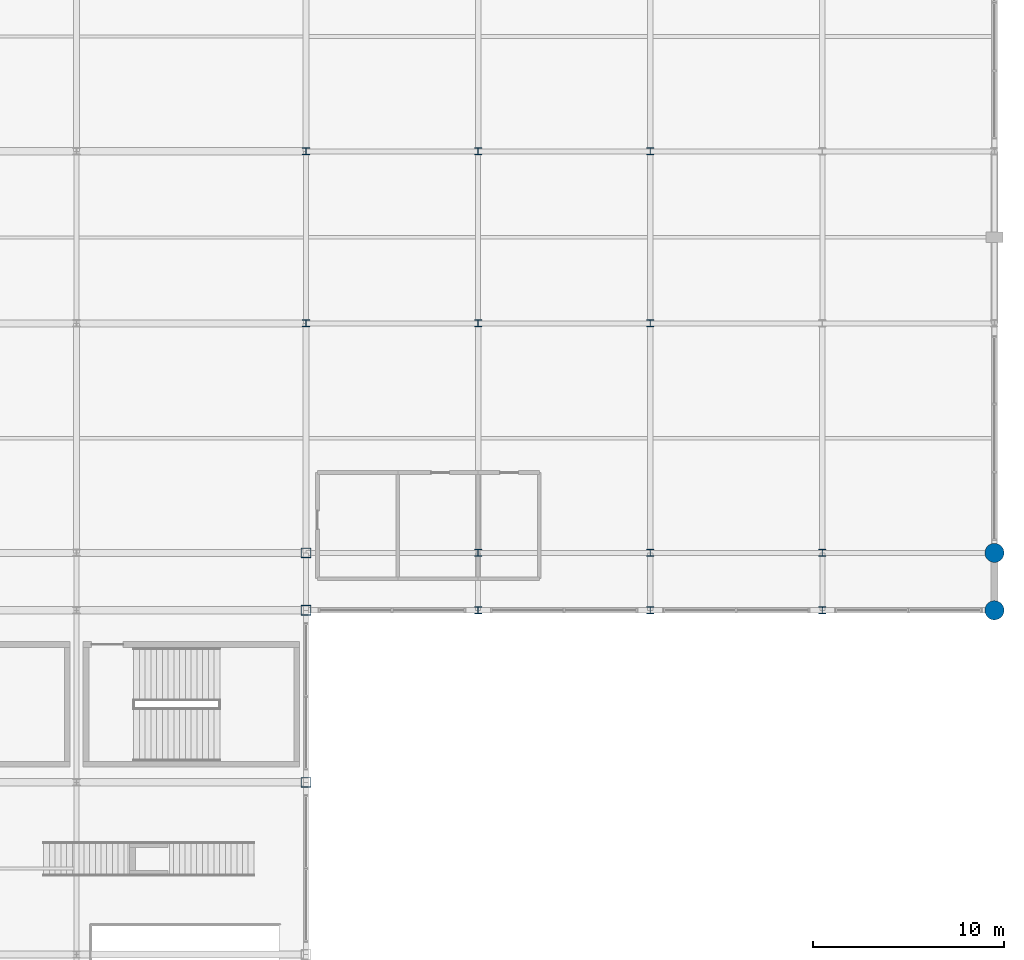
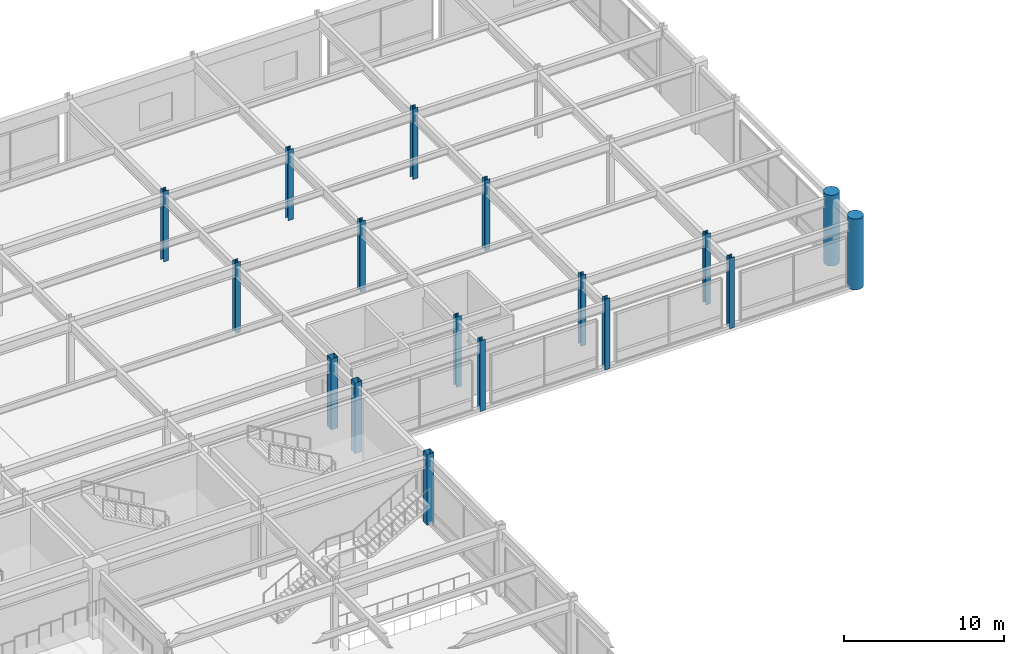
# One storey, part 17 of 100: 17 columns.
"""IFC4 building model written with IfcOpenShell, lengths in metres."""

from ifc_helpers import new_model, si_unit, direction, frame, origin, origin_2d, place, context, subcontext, project, spatial, hollow_rectangle, circle, i_section, extrude, material, material_profile, profile_set, type_object, element, save


model = new_model("IFC4")

# Units and contexts
model_context = context("Model", 3, precision=1e-05, world=origin(), true_north=direction((0.0, 1.0)))
body_context = subcontext(model_context, "Body", "Model", "MODEL_VIEW")
ifc_project = project(units=[si_unit("LENGTHUNIT", "METRE"), si_unit("AREAUNIT", "SQUARE_METRE"), si_unit("VOLUMEUNIT", "CUBIC_METRE"), si_unit("PLANEANGLEUNIT", "RADIAN"), si_unit("MASSUNIT", "GRAM", prefix="KILO")], contexts=[model_context])

# Site, building, storey
site_placement = place(None, origin())
site = spatial("IfcSite", under=ifc_project, at=site_placement, CompositionType="ELEMENT")
building_placement = place(site_placement, origin())
building = spatial("IfcBuilding", under=site, at=building_placement, Name="Kaldorvane Square Convention Centre", CompositionType="ELEMENT")
storey_placement = place(building_placement, frame((0.0, 0.0, 18.0)))
storey = spatial("IfcBuildingStorey", under=building, at=storey_placement, Name="L03", CompositionType="ELEMENT", Elevation=18.0)

# Columns
ifc_material_1 = material(Name="Steel ASTM A500 Gr. C", Category="steel")
ifc_material_profile_1 = material_profile(ifc_material_1, hollow_rectangle(XDim=0.50799560546875, YDim=0.50799560546875, WallThickness=0.014801025390625, at=origin_2d()), Name="HSS20X20X5/8")
ifc_profile_set_1 = profile_set([ifc_material_profile_1], Name="Steel ASTM A500 Gr. C")
column_type_1 = type_object("IfcColumnType", Name="COL-HSS-20", PredefinedType="COLUMN", material=ifc_profile_set_1)
for number, where, z_axis, x_axis, name in (
    (1, (138.0, 72.0, 0.0), (0.0, 0.0, 1.0), (1.0, 0.0, 0.0), "Column SC-13 (L03)"),
    (2, (138.0, 81.0, 0.0), (0.0, 0.0, 1.0), (1.0, 0.0, 0.0), "Column SC-13 (L03)"),
    (3, (138.0, 84.0, 0.0), (0.0, 0.0, 1.0), (1.0, 0.0, 0.0), "Column SC-13 (L03)"),
):
    element("IfcColumn", number, at=place(storey_placement, frame(where, z_axis=z_axis, x_axis=x_axis)), inside=storey, type_object=column_type_1, Name=name, PredefinedType="COLUMN", context=body_context, shape_type="SweptSolid", body=[
        extrude(hollow_rectangle(XDim=0.50799560546875, YDim=0.50799560546875, WallThickness=0.014801025390625, at=origin_2d()), origin(), (0.0, 0.0, 1.0), 5.399993896484375),
    ])
ifc_material_2 = material(Name="Concrete f'c = 55 MPa (Normalweight)", Category="concrete")
ifc_material_profile_2 = material_profile(ifc_material_2, circle(Radius=0.5, at=origin_2d()), Name="RC-D1000")
ifc_profile_set_2 = profile_set([ifc_material_profile_2], Name="Concrete f'c = 55 MPa (Normalweight)")
column_type_2 = type_object("IfcColumnType", Name="COL-RC-D1000", PredefinedType="COLUMN", material=ifc_profile_set_2)
for number, where, z_axis, x_axis, name in (
    (4, (174.0, 81.0, 0.0), (0.0, 0.0, 1.0), (1.0, 0.0, 0.0), "Column CC-08 (L03)"),
    (5, (174.0, 84.0, 0.0), (0.0, 0.0, 1.0), (1.0, 0.0, 0.0), "Column CC-08 (L03)"),
):
    element("IfcColumn", number, at=place(storey_placement, frame(where, z_axis=z_axis, x_axis=x_axis)), inside=storey, type_object=column_type_2, Name=name, PredefinedType="COLUMN", context=body_context, shape_type="SweptSolid", body=[
        extrude(circle(Radius=0.5, at=origin_2d()), origin(), (0.0, 0.0, 1.0), 5.399993896484375),
    ])
ifc_material_3 = material(Name="Steel ASTM A992 Gr. 50", Category="steel")
ifc_material_profile_3 = material_profile(ifc_material_3, i_section(OverallWidth=0.3701019287109375, OverallDepth=0.360198974609375, WebThickness=0.012298583984375, FlangeThickness=0.019805908203125, FilletRadius=0.0305023193359375, at=origin_2d()), Name="W14X99")
ifc_profile_set_3 = profile_set([ifc_material_profile_3], Name="Steel ASTM A992 Gr. 50")
column_type_3 = type_object("IfcColumnType", Name="COL-STL-99", PredefinedType="COLUMN", material=ifc_profile_set_3)
for number, where, z_axis, x_axis, name in (
    (6, (138.0, 96.0, 0.0), (0.0, 0.0, 1.0), (1.0, 0.0, 0.0), "Column SC-12 (L03)"),
    (7, (138.0, 105.0, 0.0), (0.0, 0.0, 1.0), (1.0, 0.0, 0.0), "Column SC-12 (L03)"),
    (8, (147.0, 81.0, 0.0), (0.0, 0.0, 1.0), (1.0, 0.0, 0.0), "Column SC-12 (L03)"),
    (9, (147.0, 84.0, 0.0), (0.0, 0.0, 1.0), (1.0, 0.0, 0.0), "Column SC-12 (L03)"),
    (10, (147.0, 96.0, 0.0), (0.0, 0.0, 1.0), (1.0, 0.0, 0.0), "Column SC-12 (L03)"),
    (11, (147.0, 105.0, 0.0), (0.0, 0.0, 1.0), (1.0, 0.0, 0.0), "Column SC-12 (L03)"),
    (12, (156.0, 81.0, 0.0), (0.0, 0.0, 1.0), (1.0, 0.0, 0.0), "Column SC-12 (L03)"),
    (13, (156.0, 84.0, 0.0), (0.0, 0.0, 1.0), (1.0, 0.0, 0.0), "Column SC-12 (L03)"),
    (14, (156.0, 96.0, 0.0), (0.0, 0.0, 1.0), (1.0, 0.0, 0.0), "Column SC-12 (L03)"),
    (15, (156.0, 105.0, 0.0), (0.0, 0.0, 1.0), (1.0, 0.0, 0.0), "Column SC-12 (L03)"),
    (16, (165.0, 81.0, 0.0), (0.0, 0.0, 1.0), (1.0, 0.0, 0.0), "Column SC-12 (L03)"),
    (17, (165.0, 84.0, 0.0), (0.0, 0.0, 1.0), (1.0, 0.0, 0.0), "Column SC-12 (L03)"),
):
    element("IfcColumn", number, at=place(storey_placement, frame(where, z_axis=z_axis, x_axis=x_axis)), inside=storey, type_object=column_type_3, Name=name, PredefinedType="COLUMN", context=body_context, shape_type="SweptSolid", body=[
        extrude(i_section(OverallWidth=0.3701019287109375, OverallDepth=0.360198974609375, WebThickness=0.012298583984375, FlangeThickness=0.019805908203125, FilletRadius=0.0305023193359375, at=origin_2d()), origin(), (0.0, 0.0, 1.0), 5.399993896484375),
    ])

save(model, "model.ifc")
